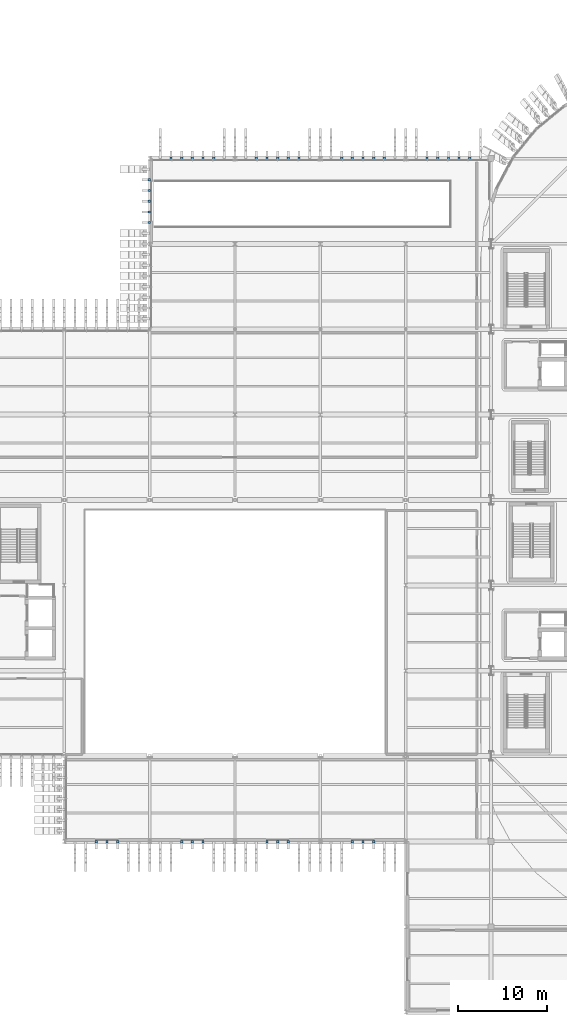
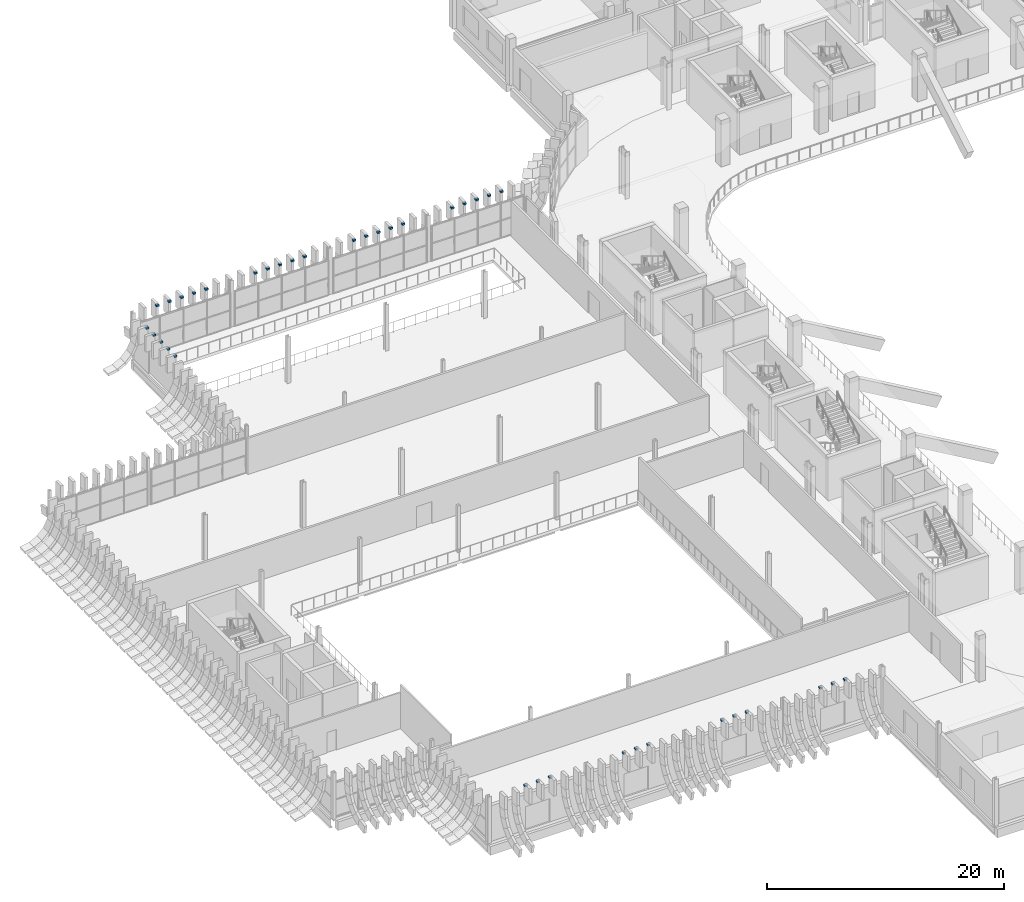
# One storey, part 64 of 100: 37 discrete accessories.
"""IFC4 building model written with IfcOpenShell, lengths in metres."""

from ifc_helpers import new_model, si_unit, direction, frame, origin, origin_2d, place, context, subcontext, project, spatial, rectangle, extrude, material, type_object, element, save


model = new_model("IFC4")

# Units and contexts
model_context = context("Model", 3, precision=1e-05, world=origin(), true_north=direction((0.0, 1.0)))
body_context = subcontext(model_context, "Body", "Model", "MODEL_VIEW")
ifc_project = project(units=[si_unit("LENGTHUNIT", "METRE"), si_unit("AREAUNIT", "SQUARE_METRE"), si_unit("VOLUMEUNIT", "CUBIC_METRE"), si_unit("PLANEANGLEUNIT", "RADIAN"), si_unit("MASSUNIT", "GRAM", prefix="KILO")], contexts=[model_context])

# Site, building, storey
site_placement = place(None, origin())
site = spatial("IfcSite", under=ifc_project, at=site_placement, CompositionType="ELEMENT")
building_placement = place(site_placement, origin())
building = spatial("IfcBuilding", under=site, at=building_placement, Name="Caelomonte Colonnade Arena", CompositionType="ELEMENT")
storey_placement = place(building_placement, origin())
storey = spatial("IfcBuildingStorey", under=building, at=storey_placement, Name="L00", CompositionType="ELEMENT", Elevation=0.0)

# Discrete accessories
ifc_material = material(Name="Steel ASTM A572 Grade 50", Category="steel")
discrete_accessory_type = type_object("IfcDiscreteAccessoryType", Name="ENV-ACC-BRK", PredefinedType="BRACKET", material=ifc_material)
for number, where, z_axis, x_axis, name in (
    (1, (13.199951171875, 28.77001953125, 4.56005859375), (0.0, 0.0, 1.0), (1.0, 0.0, 0.0), "V5 L00 over-portal fin cleat bracket 56"),
    (2, (14.39990234375, 28.77001953125, 4.56005859375), (0.0, 0.0, 1.0), (1.0, 0.0, 0.0), "V5 L00 over-portal fin cleat bracket 57"),
    (3, (15.60009765625, 28.77001953125, 4.56005859375), (0.0, 0.0, 1.0), (1.0, 0.0, 0.0), "V5 L00 over-portal fin cleat bracket 58"),
    (4, (22.800048828125, 28.77001953125, 4.56005859375), (0.0, 0.0, 1.0), (1.0, 0.0, 0.0), "V5 L00 over-portal fin cleat bracket 64"),
    (5, (24.0, 28.77001953125, 4.56005859375), (0.0, 0.0, 1.0), (1.0, 0.0, 0.0), "V5 L00 over-portal fin cleat bracket 65"),
    (6, (25.199951171875, 28.77001953125, 4.56005859375), (0.0, 0.0, 1.0), (1.0, 0.0, 0.0), "V5 L00 over-portal fin cleat bracket 66"),
    (7, (32.39990234375, 28.77001953125, 4.56005859375), (0.0, 0.0, 1.0), (1.0, 0.0, 0.0), "V5 L00 over-portal fin cleat bracket 72"),
    (8, (33.60009765625, 28.77001953125, 4.56005859375), (0.0, 0.0, 1.0), (1.0, 0.0, 0.0), "V5 L00 over-portal fin cleat bracket 73"),
    (9, (34.800048828125, 28.77001953125, 4.56005859375), (0.0, 0.0, 1.0), (1.0, 0.0, 0.0), "V5 L00 over-portal fin cleat bracket 74"),
    (10, (42.0, 28.77001953125, 4.56005859375), (0.0, 0.0, 1.0), (1.0, 0.0, 0.0), "V5 L00 over-portal fin cleat bracket 80"),
    (11, (43.199951171875, 28.77001953125, 4.56005859375), (0.0, 0.0, 1.0), (1.0, 0.0, 0.0), "V5 L00 over-portal fin cleat bracket 81"),
    (12, (44.39990234375, 28.77001953125, 4.56005859375), (0.0, 0.0, 1.0), (1.0, 0.0, 0.0), "V5 L00 over-portal fin cleat bracket 82"),
    (13, (55.199951171875, 105.6298828125, 4.56005859375), (0.0, 0.0, 1.0), (-1.0, 0.0, 0.0), "V5D L00 over-portal fin cleat bracket 5"),
    (14, (54.0, 105.6298828125, 4.56005859375), (0.0, 0.0, 1.0), (-1.0, 0.0, 0.0), "V5D L00 over-portal fin cleat bracket 6"),
    (15, (52.800048828125, 105.6298828125, 4.56005859375), (0.0, 0.0, 1.0), (-1.0, 0.0, 0.0), "V5D L00 over-portal fin cleat bracket 7"),
    (16, (51.60009765625, 105.6298828125, 4.56005859375), (0.0, 0.0, 1.0), (-1.0, 0.0, 0.0), "V5D L00 over-portal fin cleat bracket 8"),
    (17, (50.39990234375, 105.6298828125, 4.56005859375), (0.0, 0.0, 1.0), (-1.0, 0.0, 0.0), "V5D L00 over-portal fin cleat bracket 9"),
    (18, (45.60009765625, 105.6298828125, 4.56005859375), (0.0, 0.0, 1.0), (-1.0, 0.0, 0.0), "V5D L00 over-portal fin cleat bracket 13"),
    (19, (44.39990234375, 105.6298828125, 4.56005859375), (0.0, 0.0, 1.0), (-1.0, 0.0, 0.0), "V5D L00 over-portal fin cleat bracket 14"),
    (20, (43.199951171875, 105.6298828125, 4.56005859375), (0.0, 0.0, 1.0), (-1.0, 0.0, 0.0), "V5D L00 over-portal fin cleat bracket 15"),
    (21, (42.0, 105.6298828125, 4.56005859375), (0.0, 0.0, 1.0), (-1.0, 0.0, 0.0), "V5D L00 over-portal fin cleat bracket 16"),
    (22, (40.800048828125, 105.6298828125, 4.56005859375), (0.0, 0.0, 1.0), (-1.0, 0.0, 0.0), "V5D L00 over-portal fin cleat bracket 17"),
    (23, (36.0, 105.6298828125, 4.56005859375), (0.0, 0.0, 1.0), (-1.0, 0.0, 0.0), "V5D L00 over-portal fin cleat bracket 21"),
    (24, (34.800048828125, 105.6298828125, 4.56005859375), (0.0, 0.0, 1.0), (-1.0, 0.0, 0.0), "V5D L00 over-portal fin cleat bracket 22"),
    (25, (33.60009765625, 105.6298828125, 4.56005859375), (0.0, 0.0, 1.0), (-1.0, 0.0, 0.0), "V5D L00 over-portal fin cleat bracket 23"),
    (26, (32.39990234375, 105.6298828125, 4.56005859375), (0.0, 0.0, 1.0), (-1.0, 0.0, 0.0), "V5D L00 over-portal fin cleat bracket 24"),
    (27, (31.199951171875, 105.6298828125, 4.56005859375), (0.0, 0.0, 1.0), (-1.0, 0.0, 0.0), "V5D L00 over-portal fin cleat bracket 25"),
    (28, (26.39990234375, 105.6298828125, 4.56005859375), (0.0, 0.0, 1.0), (-1.0, 0.0, 0.0), "V5D L00 over-portal fin cleat bracket 29"),
    (29, (25.199951171875, 105.6298828125, 4.56005859375), (0.0, 0.0, 1.0), (-1.0, 0.0, 0.0), "V5D L00 over-portal fin cleat bracket 30"),
    (30, (24.0, 105.6298828125, 4.56005859375), (0.0, 0.0, 1.0), (-1.0, 0.0, 0.0), "V5D L00 over-portal fin cleat bracket 31"),
    (31, (22.800048828125, 105.6298828125, 4.56005859375), (0.0, 0.0, 1.0), (-1.0, 0.0, 0.0), "V5D L00 over-portal fin cleat bracket 32"),
    (32, (21.60009765625, 105.6298828125, 4.56005859375), (0.0, 0.0, 1.0), (-1.0, 0.0, 0.0), "V5D L00 over-portal fin cleat bracket 33"),
    (33, (19.169921875, 103.199951171875, 4.56005859375), (0.0, 0.0, 1.0), (0.0, -1.0, 0.0), "V5D L00 over-portal fin cleat bracket 36"),
    (34, (19.169921875, 102.0, 4.56005859375), (0.0, 0.0, 1.0), (0.0, -1.0, 0.0), "V5D L00 over-portal fin cleat bracket 37"),
    (35, (19.169921875, 100.800048828125, 4.56005859375), (0.0, 0.0, 1.0), (0.0, -1.0, 0.0), "V5D L00 over-portal fin cleat bracket 38"),
    (36, (19.169921875, 99.60009765625, 4.56005859375), (0.0, 0.0, 1.0), (0.0, -1.0, 0.0), "V5D L00 over-portal fin cleat bracket 39"),
    (37, (19.169921875, 98.39990234375, 4.56005859375), (0.0, 0.0, 1.0), (0.0, -1.0, 0.0), "V5D L00 over-portal fin cleat bracket 40"),
):
    element("IfcDiscreteAccessory", number, at=place(storey_placement, frame(where, z_axis=z_axis, x_axis=x_axis)), inside=storey, type_object=discrete_accessory_type, Name=name, PredefinedType="BRACKET", context=body_context, shape_type="SweptSolid", body=[
        extrude(rectangle(XDim=0.260009765625, YDim=0.260009765625, at=origin_2d()), origin(), (0.0, 0.0, 1.0), 0.179931640625),
    ])

save(model, "model.ifc")
